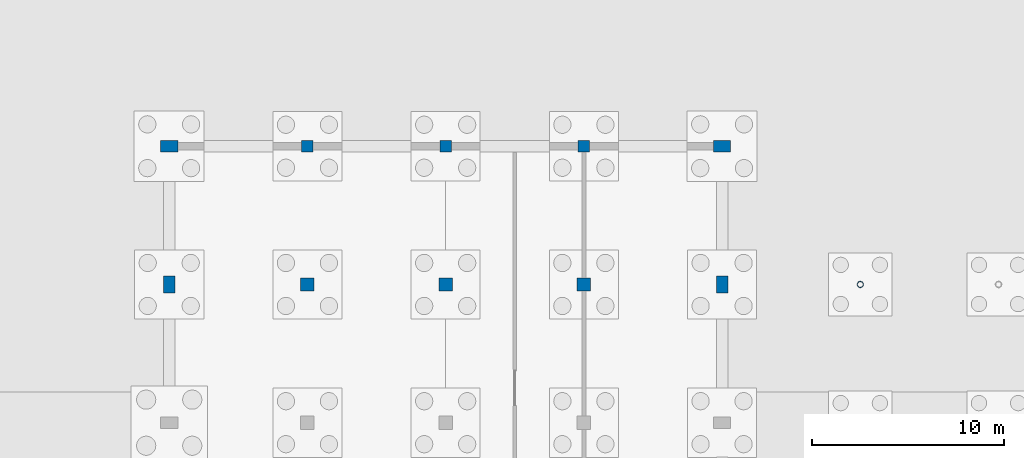
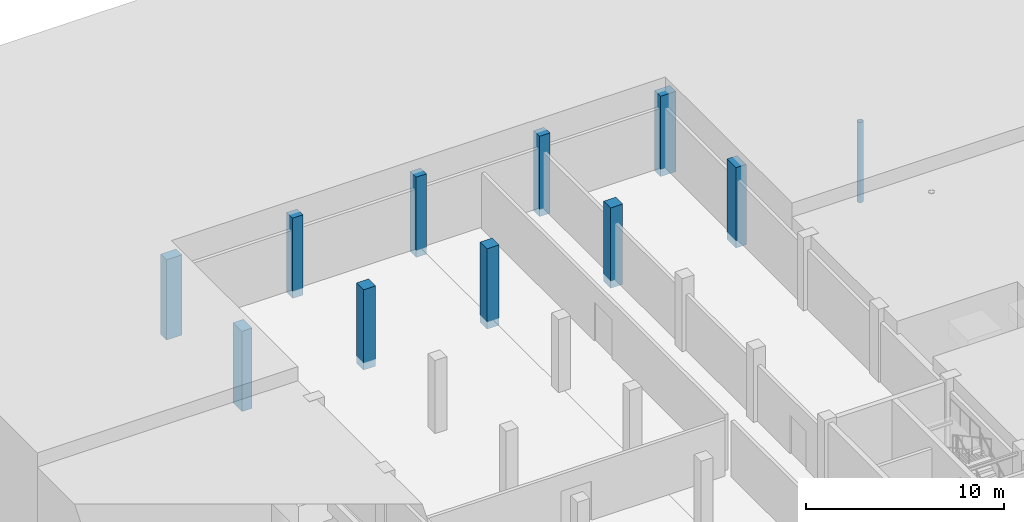
# One storey, part 19 of 51: 11 columns.
"""IFC4 building model written with IfcOpenShell, lengths in metres."""

from ifc_helpers import new_model, si_unit, direction, frame, origin, origin_2d, place, context, subcontext, project, spatial, rectangle, hollow_circle, extrude, material, material_profile, profile_set, type_object, element, save


model = new_model("IFC4")

# Units and contexts
model_context = context("Model", 3, precision=1e-05, world=origin(), true_north=direction((0.0, 1.0)))
body_context = subcontext(model_context, "Body", "Model", "MODEL_VIEW")
ifc_project = project(units=[si_unit("LENGTHUNIT", "METRE"), si_unit("AREAUNIT", "SQUARE_METRE"), si_unit("VOLUMEUNIT", "CUBIC_METRE"), si_unit("PLANEANGLEUNIT", "RADIAN"), si_unit("MASSUNIT", "GRAM", prefix="KILO")], contexts=[model_context])

# Site, building, storey
site_placement = place(None, origin())
site = spatial("IfcSite", under=ifc_project, at=site_placement, CompositionType="ELEMENT")
building_placement = place(site_placement, origin())
building = spatial("IfcBuilding", under=site, at=building_placement, Name="Zlatovets Crest Museum", CompositionType="ELEMENT")
storey_placement = place(building_placement, frame((0.0, 0.0, -4.5)))
storey = spatial("IfcBuildingStorey", under=building, at=storey_placement, Name="B1", CompositionType="ELEMENT", Elevation=-4.5)

# Columns
ifc_material_1 = material(Name="Concrete C35/45", Category="concrete")
ifc_material_profile_1 = material_profile(ifc_material_1, rectangle(XDim=0.699951171875, YDim=0.699951171875, at=origin_2d()), Name="RC 700x700")
ifc_profile_set_1 = profile_set([ifc_material_profile_1], Name="Concrete C35/45")
column_type_1 = type_object("IfcColumnType", Name="Col_C-01", PredefinedType="COLUMN", material=ifc_profile_set_1)
for number, where, z_axis, x_axis, name in (
    (1, (14.39990234375, 93.60009765625, -0.449951171875), (0.0, 0.0, 1.0), (0.0, 1.0, 0.0), "V4 B1 Column (14.4, 93.6)"),
    (2, (21.60009765625, 93.60009765625, -0.449951171875), (0.0, 0.0, 1.0), (1.0, 0.0, 0.0), "V4 B1 Column (21.6, 93.6)"),
    (3, (28.800048828125, 93.60009765625, -0.449951171875), (0.0, 0.0, 1.0), (0.0, 1.0, 0.0), "V4 B1 Column (28.8, 93.6)"),
):
    element("IfcColumn", number, at=place(storey_placement, frame(where, z_axis=z_axis, x_axis=x_axis)), inside=storey, type_object=column_type_1, Name=name, PredefinedType="COLUMN", context=body_context, shape_type="SweptSolid", body=[
        extrude(rectangle(XDim=0.699951171875, YDim=0.699951171875, at=origin_2d()), origin(), (0.0, 0.0, 1.0), 4.949951171875),
    ])
ifc_material_profile_2 = material_profile(ifc_material_1, rectangle(XDim=0.60009765625, YDim=0.60009765625, at=origin_2d()), Name="RC 600x600")
ifc_profile_set_2 = profile_set([ifc_material_profile_2], Name="Concrete C35/45")
column_type_2 = type_object("IfcColumnType", Name="Col_C-02", PredefinedType="COLUMN", material=ifc_profile_set_2)
for number, where, z_axis, x_axis, name in (
    (4, (14.39990234375, 100.800048828125, -0.449951171875), (0.0, 0.0, 1.0), (1.0, 0.0, 0.0), "V4 B1 Column (14.4, 100.8)"),
    (5, (21.60009765625, 100.800048828125, -0.449951171875), (0.0, 0.0, 1.0), (0.0, 1.0, 0.0), "V4 B1 Column (21.6, 100.8)"),
    (6, (28.800048828125, 100.800048828125, -0.449951171875), (0.0, 0.0, 1.0), (1.0, 0.0, 0.0), "V4 B1 Column (28.8, 100.8)"),
):
    element("IfcColumn", number, at=place(storey_placement, frame(where, z_axis=z_axis, x_axis=x_axis)), inside=storey, type_object=column_type_2, Name=name, PredefinedType="COLUMN", context=body_context, shape_type="SweptSolid", body=[
        extrude(rectangle(XDim=0.60009765625, YDim=0.60009765625, at=origin_2d()), origin(), (0.0, 0.0, 1.0), 4.949951171875),
    ])
ifc_material_profile_3 = material_profile(ifc_material_1, rectangle(XDim=0.60009765625, YDim=0.89990234375, at=origin_2d()), Name="RC 600x900")
ifc_profile_set_3 = profile_set([ifc_material_profile_3], Name="Concrete C35/45")
column_type_3 = type_object("IfcColumnType", Name="Col_C-03", PredefinedType="PILASTER", material=ifc_profile_set_3)
for number, where, z_axis, x_axis, name in (
    (7, (7.199951171875, 93.60009765625, -0.449951171875), (0.0, 0.0, 1.0), (1.0, 0.0, 0.0), "V4 B1 Column (7.2, 93.6)"),
    (8, (7.199951171875, 100.800048828125, -0.449951171875), (0.0, 0.0, 1.0), (0.0, 1.0, 0.0), "V4 B1 Column (7.2, 100.8)"),
    (9, (36.0, 93.60009765625, -0.449951171875), (0.0, 0.0, 1.0), (1.0, 0.0, 0.0), "V4 B1 Column (36.0, 93.6)"),
    (10, (36.0, 100.800048828125, -0.449951171875), (0.0, 0.0, 1.0), (0.0, 1.0, 0.0), "V4 B1 Column (36.0, 100.8)"),
):
    element("IfcColumn", number, at=place(storey_placement, frame(where, z_axis=z_axis, x_axis=x_axis)), inside=storey, type_object=column_type_3, Name=name, PredefinedType="PILASTER", context=body_context, shape_type="SweptSolid", body=[
        extrude(rectangle(XDim=0.60009765625, YDim=0.89990234375, at=origin_2d()), origin(), (0.0, 0.0, 1.0), 4.949951171875),
    ])
ifc_material_2 = material(Name="Structural steel S355J2", Category="steel")
ifc_material_profile_4 = material_profile(ifc_material_2, hollow_circle(Radius=0.161865234375, WallThickness=0.012451171875, at=origin_2d()), Name="CHS 323.9x12.5")
ifc_profile_set_4 = profile_set([ifc_material_profile_4], Name="Structural steel S355J2")
column_type_4 = type_object("IfcColumnType", Name="Col_C-13", PredefinedType="COLUMN", material=ifc_profile_set_4)
column_placement = place(storey_placement, frame((43.199951171875, 93.60009765625, -0.449951171875), z_axis=(0.0, 0.0, 1.0), x_axis=(1.0, 0.0, 0.0)))
element("IfcColumn", 11, at=column_placement, inside=storey, type_object=column_type_4, Name="Northwest Crest Glazed Link Bridge Portal Column", PredefinedType="COLUMN", context=body_context, shape_type="SweptSolid", body=[
    extrude(hollow_circle(Radius=0.161865234375, WallThickness=0.012451171875, at=origin_2d()), origin(), (0.0, 0.0, 1.0), 4.949951171875),
])

save(model, "model.ifc")
